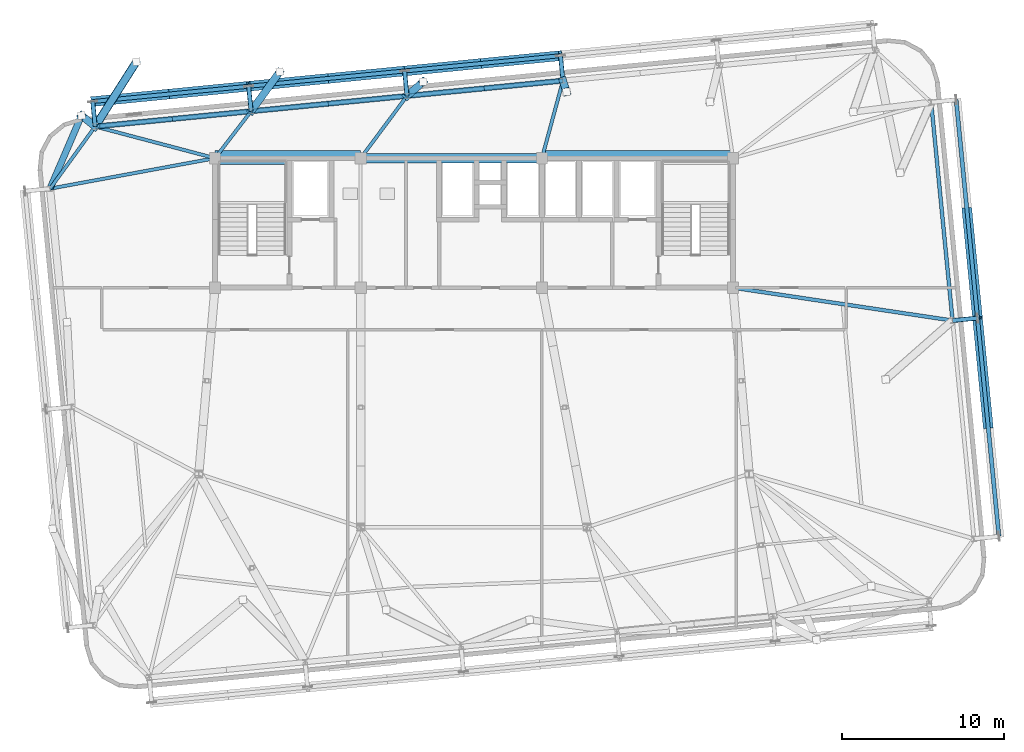
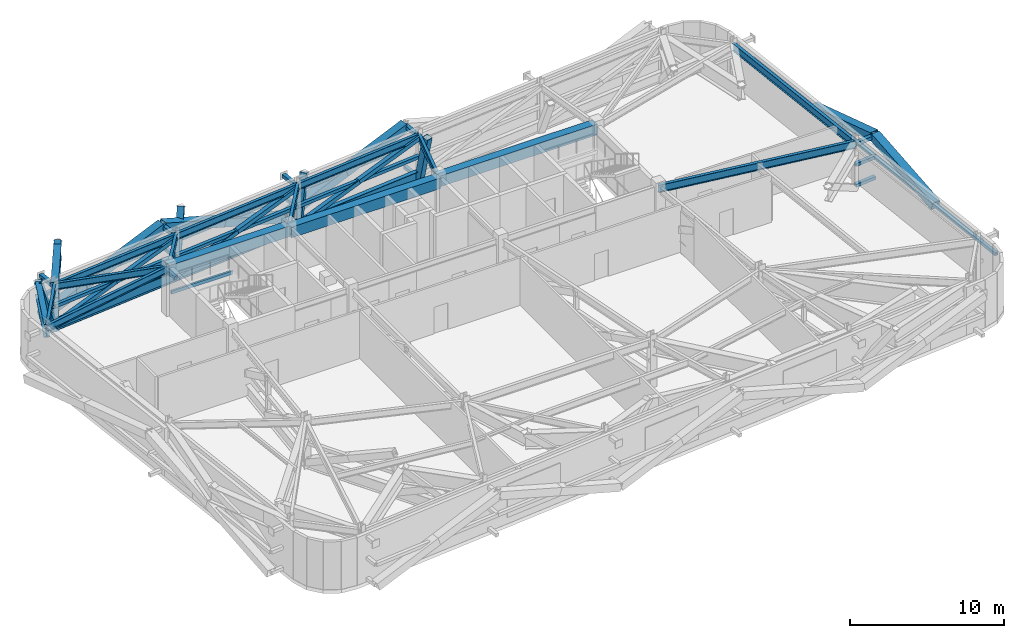
# One storey, part 11 of 24: 44 members, 17 beams.
"""IFC4 building model written with IfcOpenShell, lengths in metres."""

from ifc_helpers import new_model, si_unit, direction, frame, origin, origin_2d, place, context, subcontext, project, spatial, rectangle, hollow_rectangle, i_section, extrude, source, transform, mapped, material, material_profile, profile_set, type_object, element, save


model = new_model("IFC4")

# Units and contexts
model_context = context("Model", 3, precision=1e-05, world=origin(), true_north=direction((0.0, 1.0)))
body_context = subcontext(model_context, "Body", "Model", "MODEL_VIEW")
ifc_project = project(units=[si_unit("LENGTHUNIT", "METRE"), si_unit("AREAUNIT", "SQUARE_METRE"), si_unit("VOLUMEUNIT", "CUBIC_METRE"), si_unit("PLANEANGLEUNIT", "RADIAN"), si_unit("MASSUNIT", "GRAM", prefix="KILO")], contexts=[model_context])

# Site, building, storey
site_placement = place(None, origin())
site = spatial("IfcSite", under=ifc_project, at=site_placement, CompositionType="ELEMENT")
building_placement = place(site_placement, origin())
building = spatial("IfcBuilding", under=site, at=building_placement, Name="Taldren Reach Tower", CompositionType="ELEMENT")
storey_placement = place(building_placement, frame((0.0, 0.0, 112.35009765625)))
storey = spatial("IfcBuildingStorey", under=building, at=storey_placement, Name="L34", CompositionType="ELEMENT", Elevation=112.35009765625)

# Beams
ifc_material_1 = material(Name="Concrete S80 (80 MPa)", Category="concrete")
ifc_material_profile_1 = material_profile(ifc_material_1, rectangle(XDim=0.60009765625, YDim=0.85009765625, at=origin_2d()), Name="RC-CB600x850")
ifc_profile_set_1 = profile_set([ifc_material_profile_1], Name="Concrete S80 (80 MPa)")
beam_type_1 = type_object("IfcBeamType", Name="BM-RCCB850", PredefinedType="BEAM", material=ifc_profile_set_1)
shared_shape_1 = source(origin(), body_context, "Body", "SweptSolid", [
    extrude(rectangle(XDim=0.60009765625, YDim=0.85009765625, at=origin_2d()), origin(), (0.0, 0.0, 1.0), 9.0),
])
beam_1_placement = place(storey_placement, frame((19.0, 32.179931640625, 3.35498046875), z_axis=(1.0, 0.0, 0.0), x_axis=(0.0, 1.0, 0.0)))
element("IfcBeam", 1, at=beam_1_placement, inside=storey, type_object=beam_type_1, Name="Core-spine girder L34-SP04", PredefinedType="BEAM", context=body_context, shape_type="MappedRepresentation", body=[
    mapped(shared_shape_1, transform((0.0, 0.0, 0.0), scale=1.0)),
])
shared_shape_2 = source(origin(), body_context, "Body", "SweptSolid", [
    extrude(rectangle(XDim=0.60009765625, YDim=0.85009765625, at=origin_2d()), origin(), (0.0, 0.0, 1.0), 11.199951171875),
])
beam_2_placement = place(storey_placement, frame((28.0, 32.0, 3.35498046875), z_axis=(1.0, 0.0, 0.0), x_axis=(0.0, 1.0, 0.0)))
element("IfcBeam", 2, at=beam_2_placement, inside=storey, type_object=beam_type_1, Name="Core-spine girder L34-SP05", PredefinedType="BEAM", context=body_context, shape_type="MappedRepresentation", body=[
    mapped(shared_shape_2, transform((0.0, 0.0, 0.0), scale=1.0)),
])
shared_shape_3 = source(origin(), body_context, "Body", "SweptSolid", [
    extrude(rectangle(XDim=0.60009765625, YDim=0.85009765625, at=origin_2d()), origin(), (0.0, 0.0, 1.0), 11.800048828125),
])
beam_3_placement = place(storey_placement, frame((39.199951171875, 32.179931640625, 3.35498046875), z_axis=(1.0, 0.0, 0.0), x_axis=(0.0, 1.0, 0.0)))
element("IfcBeam", 3, at=beam_3_placement, inside=storey, type_object=beam_type_1, Name="Core-spine girder L34-SP06", PredefinedType="BEAM", context=body_context, shape_type="MappedRepresentation", body=[
    mapped(shared_shape_3, transform((0.0, 0.0, 0.0), scale=1.0)),
])
ifc_material_2 = material(Name="Steel Gr 350 (350PLUS)", Category="steel")
ifc_material_profile_2 = material_profile(ifc_material_2, i_section(OverallWidth=0.208984375, OverallDepth=0.528076171875, WebThickness=0.009521484375, FlangeThickness=0.01318359375, at=origin_2d()), Name="530UB82.0")
ifc_profile_set_2 = profile_set([ifc_material_profile_2], Name="Steel Gr 350 (350PLUS)")
beam_type_2 = type_object("IfcBeamType", Name="SP-UB530B", PredefinedType="SPANDREL", material=ifc_profile_set_2)
shared_shape_4 = source(origin(), body_context, "Body", "SweptSolid", [
    extrude(i_section(OverallWidth=0.208984375, OverallDepth=0.528076171875, WebThickness=0.009521484375, FlangeThickness=0.01318359375, at=origin_2d()), origin(), (0.0, 0.0, 1.0), 4.74609375),
])
beam_4_placement = place(storey_placement, frame((11.596923828125, 33.956787109375, 3.515869140625), z_axis=(-0.587565912237, -0.809176308833, 0.0), x_axis=(0.809176308833, -0.587565912237, 0.0)))
element("IfcBeam", 4, at=beam_4_placement, inside=storey, type_object=beam_type_2, Name="Perimeter spandrel B2 N1-W3 L34", PredefinedType="SPANDREL", context=body_context, shape_type="MappedRepresentation", body=[
    mapped(shared_shape_4, transform((0.0, 0.0, 0.0), scale=1.0)),
])

# Members
ifc_material_3 = material(Name="Steel Gr 450 (C450L0)", Category="steel")
ifc_material_profile_3 = material_profile(ifc_material_3, hollow_rectangle(XDim=0.27490234375, YDim=0.27490234375, WallThickness=0.00927734375, at=origin_2d()), Name="275x275x9.3SHS")
ifc_profile_set_3 = profile_set([ifc_material_profile_3], Name="Steel Gr 450 (C450L0)")
member_type_1 = type_object("IfcMemberType", Name="MB-TIE273", PredefinedType="STRUT", material=ifc_profile_set_3)
shared_shape_5 = source(origin(), body_context, "Body", "SweptSolid", [
    extrude(hollow_rectangle(XDim=0.27490234375, YDim=0.27490234375, WallThickness=0.00927734375, at=origin_2d()), origin(), (0.0, 0.0, 1.0), 1.5498046875),
])
for number, where, z_axis, x_axis, name in (
    (5, (30.864501953125, 35.84619140625, 3.5), (-0.097663201064, 0.995219523099, 0.0), (-0.995219523099, -0.097663201064, 0.0), "Exoskeleton diaphragm tie strut B2-N3 L34"),
    (6, (40.498291015625, 36.790771484375, 3.5), (-0.097663201064, 0.995219523099, 0.0), (-0.995219523099, -0.097663201064, 0.0), "Exoskeleton diaphragm tie strut B2-N4 L34"),
    (7, (64.569580078125, 21.968994140625, 3.5), (0.995234821595, 0.097507178627, 0.0), (-0.097507178627, 0.995234821595, 0.0), "Exoskeleton diaphragm tie strut B2-E2 L34"),
):
    element("IfcMember", number, at=place(storey_placement, frame(where, z_axis=z_axis, x_axis=x_axis)), inside=storey, type_object=member_type_1, Name=name, PredefinedType="STRUT", context=body_context, shape_type="MappedRepresentation", body=[
        mapped(shared_shape_5, transform((0.0, 0.0, 0.0), scale=1.0)),
    ])
ifc_material_4 = material(Name="Steel Gr 350 (C350L0)", Category="steel")
ifc_material_profile_4 = material_profile(ifc_material_4, hollow_rectangle(XDim=0.25, YDim=0.25, WallThickness=0.010009765625, at=origin_2d()), Name="250x250x10.0SHS")
ifc_profile_set_4 = profile_set([ifc_material_profile_4], Name="Steel Gr 350 (C350L0)")
member_type_2 = type_object("IfcMemberType", Name="MB-POST250", PredefinedType="POST", material=ifc_profile_set_4)
shared_shape_6 = source(origin(), body_context, "Body", "SweptSolid", [
    extrude(hollow_rectangle(XDim=0.25, YDim=0.25, WallThickness=0.010009765625, at=origin_2d()), origin(), (0.0, 0.0, 1.0), 1.5498046875),
])
for number, where, z_axis, x_axis, name in (
    (8, (30.864501953125, 35.84619140625, 0.219970703125), (-0.097663201064, 0.995219523099, 0.0), (-0.995219523099, -0.097663201064, 0.0), "Exoskeleton base diaphragm tie strut B2-N3 L34"),
    (9, (40.498291015625, 36.790771484375, 0.219970703125), (-0.097663201064, 0.995219523099, 0.0), (-0.995219523099, -0.097663201064, 0.0), "Exoskeleton base diaphragm tie strut B2-N4 L34"),
    (10, (64.569580078125, 21.968994140625, 0.219970703125), (0.995234821595, 0.097507178627, 0.0), (-0.097507178627, 0.995234821595, 0.0), "Exoskeleton base diaphragm tie strut B2-E2 L34"),
    (11, (30.864501953125, 35.84619140625, 1.85986328125), (-0.097663201064, 0.995219523099, 0.0), (-0.995219523099, -0.097663201064, 0.0), "Exoskeleton mid-tier diaphragm tie B2-N3 L34"),
    (12, (64.569580078125, 21.968994140625, 1.85986328125), (0.995234821595, 0.097507178627, 0.0), (-0.097507178627, 0.995234821595, 0.0), "Exoskeleton mid-tier diaphragm tie B2-E2 L34"),
):
    element("IfcMember", number, at=place(storey_placement, frame(where, z_axis=z_axis, x_axis=x_axis)), inside=storey, type_object=member_type_2, Name=name, PredefinedType="POST", context=body_context, shape_type="MappedRepresentation", body=[
        mapped(shared_shape_6, transform((0.0, 0.0, 0.0), scale=1.0)),
    ])

# Beams
shared_shape_7 = source(origin(), body_context, "Body", "SweptSolid", [
    extrude(i_section(OverallWidth=0.208984375, OverallDepth=0.528076171875, WebThickness=0.009521484375, FlangeThickness=0.01318359375, at=origin_2d()), origin(), (0.0, 0.0, 1.0), 9.679931640625),
])
for number, where, z_axis, x_axis, name in (
    (13, (40.498291015625, 36.790771484375, 3.515869140625), (-0.995227612658, -0.097580730699, 0.0), (0.097580730699, -0.995227612658, 0.0), "Perimeter spandrel B2 N4-N3 L34"),
    (14, (30.864501953125, 35.84619140625, 3.515869140625), (-0.995225162995, -0.097605711627, 0.0), (0.097605711627, -0.995225162995, 0.0), "Perimeter spandrel B2 N3-N2 L34"),
    (15, (21.230712890625, 34.9013671875, 3.515869140625), (-0.995227612658, -0.097580730699, 0.0), (0.097580730699, -0.995227612658, 0.0), "Perimeter spandrel B2 N2-N1 L34"),
):
    element("IfcBeam", number, at=place(storey_placement, frame(where, z_axis=z_axis, x_axis=x_axis)), inside=storey, type_object=beam_type_2, Name=name, PredefinedType="SPANDREL", context=body_context, shape_type="MappedRepresentation", body=[
        mapped(shared_shape_7, transform((0.0, 0.0, 0.0), scale=1.0)),
    ])
ifc_material_profile_5 = material_profile(ifc_material_2, i_section(OverallWidth=0.22802734375, OverallDepth=0.60205078125, WebThickness=0.010498046875, FlangeThickness=0.014892578125, at=origin_2d()), Name="610UB101")
ifc_profile_set_5 = profile_set([ifc_material_profile_5], Name="Steel Gr 350 (350PLUS)")
beam_type_3 = type_object("IfcBeamType", Name="BM-UB610B", PredefinedType="BEAM", material=ifc_profile_set_5)
shared_shape_8 = source(origin(), body_context, "Body", "SweptSolid", [
    extrude(i_section(OverallWidth=0.22802734375, OverallDepth=0.60205078125, WebThickness=0.010498046875, FlangeThickness=0.014892578125, at=origin_2d()), origin(), (0.0, 0.0, 1.0), 13.550048828125),
])
beam_5_placement = place(storey_placement, frame((64.569580078125, 21.968994140625, 3.47900390625), z_axis=(-0.097584021339, 0.995227290009, 0.0), x_axis=(-0.995227290009, -0.097584021339, 0.0)))
element("IfcBeam", 16, at=beam_5_placement, inside=storey, type_object=beam_type_3, Name="Perimeter gable girder B2 E2-E3 L34", PredefinedType="BEAM", context=body_context, shape_type="MappedRepresentation", body=[
    mapped(shared_shape_8, transform((0.0, 0.0, 0.0), scale=1.0)),
])
shared_shape_9 = source(origin(), body_context, "Body", "SweptSolid", [
    extrude(i_section(OverallWidth=0.22802734375, OverallDepth=0.60205078125, WebThickness=0.010498046875, FlangeThickness=0.014892578125, at=origin_2d()), origin(), (0.0, 0.0, 1.0), 13.720703125),
])
beam_6_placement = place(storey_placement, frame((51.0, 24.0, 3.47900390625), z_axis=(0.988983679407, -0.148024598856, 0.0), x_axis=(0.148024598856, 0.988983679407, 0.0)))
element("IfcBeam", 17, at=beam_6_placement, inside=storey, type_object=beam_type_3, Name="Primary floor girder B2-E2 L34", PredefinedType="BEAM", context=body_context, shape_type="MappedRepresentation", body=[
    mapped(shared_shape_9, transform((0.0, 0.0, 0.0), scale=1.0)),
])
ifc_material_profile_6 = material_profile(ifc_material_2, i_section(OverallWidth=0.208984375, OverallDepth=0.532958984375, WebThickness=0.01025390625, FlangeThickness=0.015625, at=origin_2d()), Name="530UB92.4")
ifc_profile_set_6 = profile_set([ifc_material_profile_6], Name="Steel Gr 350 (350PLUS)")
beam_type_4 = type_object("IfcBeamType", Name="BM-UB530A", PredefinedType="BEAM", material=ifc_profile_set_6)
shared_shape_10 = source(origin(), body_context, "Body", "SweptSolid", [
    extrude(i_section(OverallWidth=0.208984375, OverallDepth=0.532958984375, WebThickness=0.01025390625, FlangeThickness=0.015625, at=origin_2d()), origin(), (0.0, 0.0, 1.0), 4.963623046875),
])
beam_7_placement = place(storey_placement, frame((39.199951171875, 32.0, 3.513427734375), z_axis=(0.261572995851, 0.965183696423, 0.0), x_axis=(-0.965183696423, 0.261572995851, 0.0)))
element("IfcBeam", 18, at=beam_7_placement, inside=storey, type_object=beam_type_4, Name="Primary floor girder B2-N4 L34", PredefinedType="BEAM", context=body_context, shape_type="MappedRepresentation", body=[
    mapped(shared_shape_10, transform((0.0, 0.0, 0.0), scale=1.0)),
])
shared_shape_11 = source(origin(), body_context, "Body", "SweptSolid", [
    extrude(i_section(OverallWidth=0.208984375, OverallDepth=0.532958984375, WebThickness=0.01025390625, FlangeThickness=0.015625, at=origin_2d()), origin(), (0.0, 0.0, 1.0), 4.795654296875),
])
beam_8_placement = place(storey_placement, frame((28.0, 32.0, 3.513427734375), z_axis=(0.59730864792, 0.802011458223, 0.0), x_axis=(-0.802011458223, 0.59730864792, 0.0)))
element("IfcBeam", 19, at=beam_8_placement, inside=storey, type_object=beam_type_4, Name="Primary floor girder B2-N3 L34", PredefinedType="BEAM", context=body_context, shape_type="MappedRepresentation", body=[
    mapped(shared_shape_11, transform((0.0, 0.0, 0.0), scale=1.0)),
])
shared_shape_12 = source(origin(), body_context, "Body", "SweptSolid", [
    extrude(i_section(OverallWidth=0.208984375, OverallDepth=0.532958984375, WebThickness=0.01025390625, FlangeThickness=0.015625, at=origin_2d()), origin(), (0.0, 0.0, 1.0), 3.65966796875),
])
beam_9_placement = place(storey_placement, frame((19.0, 32.0, 3.513427734375), z_axis=(0.609520535722, 0.792770279799, 0.0), x_axis=(-0.792770279799, 0.609520535722, 0.0)))
element("IfcBeam", 20, at=beam_9_placement, inside=storey, type_object=beam_type_4, Name="Primary floor girder B2-N2 L34", PredefinedType="BEAM", context=body_context, shape_type="MappedRepresentation", body=[
    mapped(shared_shape_12, transform((0.0, 0.0, 0.0), scale=1.0)),
])
shared_shape_13 = source(origin(), body_context, "Body", "SweptSolid", [
    extrude(i_section(OverallWidth=0.208984375, OverallDepth=0.532958984375, WebThickness=0.01025390625, FlangeThickness=0.015625, at=origin_2d()), origin(), (0.0, 0.0, 1.0), 7.6572265625),
])
beam_10_placement = place(storey_placement, frame((19.0, 32.0, 3.513427734375), z_axis=(-0.966797258245, 0.255544636904, 0.0), x_axis=(-0.255544636904, -0.966797258245, 0.0)))
element("IfcBeam", 21, at=beam_10_placement, inside=storey, type_object=beam_type_4, Name="Primary floor girder B2-N1 L34", PredefinedType="BEAM", context=body_context, shape_type="MappedRepresentation", body=[
    mapped(shared_shape_13, transform((0.0, 0.0, 0.0), scale=1.0)),
])
shared_shape_14 = source(origin(), body_context, "Body", "SweptSolid", [
    extrude(i_section(OverallWidth=0.208984375, OverallDepth=0.532958984375, WebThickness=0.01025390625, FlangeThickness=0.015625, at=origin_2d()), origin(), (0.0, 0.0, 1.0), 10.3642578125),
])
beam_11_placement = place(storey_placement, frame((19.0, 32.0, 3.513427734375), z_axis=(-0.983347548213, -0.181734970283, 0.0), x_axis=(0.181734970283, -0.983347548213, 0.0)))
element("IfcBeam", 22, at=beam_11_placement, inside=storey, type_object=beam_type_4, Name="Primary floor girder B2-W3 L34", PredefinedType="BEAM", context=body_context, shape_type="MappedRepresentation", body=[
    mapped(shared_shape_14, transform((0.0, 0.0, 0.0), scale=1.0)),
])

# Members
shared_shape_15 = source(origin(), body_context, "Body", "SweptSolid", [
    extrude(hollow_rectangle(XDim=0.27490234375, YDim=0.27490234375, WallThickness=0.00927734375, at=origin_2d()), origin(), (0.0, 0.0, 1.0), 1.550048828125),
])
for number, where, z_axis, x_axis, name in (
    (23, (11.596923828125, 33.956787109375, 3.5), (-0.097647892962, 0.9952210252, 0.0), (-0.9952210252, -0.097647892962, 0.0), "Exoskeleton diaphragm tie strut B2-N1 L34"),
    (24, (21.230712890625, 34.9013671875, 3.5), (-0.097647892962, 0.9952210252, 0.0), (-0.9952210252, -0.097647892962, 0.0), "Exoskeleton diaphragm tie strut B2-N2 L34"),
):
    element("IfcMember", number, at=place(storey_placement, frame(where, z_axis=z_axis, x_axis=x_axis)), inside=storey, type_object=member_type_1, Name=name, PredefinedType="STRUT", context=body_context, shape_type="MappedRepresentation", body=[
        mapped(shared_shape_15, transform((0.0, 0.0, 0.0), scale=1.0)),
    ])
shared_shape_16 = source(origin(), body_context, "Body", "SweptSolid", [
    extrude(hollow_rectangle(XDim=0.25, YDim=0.25, WallThickness=0.010009765625, at=origin_2d()), origin(), (0.0, 0.0, 1.0), 9.679931640625),
])
for number, where, z_axis, x_axis, name in (
    (25, (11.596923828125, 33.956787109375, 1.954833984375), (0.995227612658, 0.097580730699, 0.0), (-0.097580730699, 0.995227612658, 0.0), "Belt Truss Transfer Mid Chord N1 L34"),
    (26, (21.230712890625, 34.9013671875, 1.954833984375), (0.995225162995, 0.097605711627, 0.0), (-0.097605711627, 0.995225162995, 0.0), "Belt Truss Transfer Mid Chord N2 L34"),
    (27, (30.864501953125, 35.84619140625, 1.954833984375), (0.995227612658, 0.097580730699, 0.0), (-0.097580730699, 0.995227612658, 0.0), "Belt Truss Transfer Mid Chord N3 L34"),
    (28, (11.445556640625, 35.49951171875, 1.85986328125), (0.995227612658, 0.097580730699, 0.0), (-0.097580730699, 0.995227612658, 0.0), "Exoskeleton mid-height ring chord B2-N1 L34"),
    (29, (21.079345703125, 36.444091796875, 1.85986328125), (0.995227612658, 0.097580730699, 0.0), (-0.097580730699, 0.995227612658, 0.0), "Exoskeleton mid-height ring chord B2-N2 L34"),
    (30, (30.713134765625, 37.388671875, 1.85986328125), (0.995227612658, 0.097580730699, 0.0), (-0.097580730699, 0.995227612658, 0.0), "Exoskeleton mid-height ring chord B2-N3 L34"),
):
    element("IfcMember", number, at=place(storey_placement, frame(where, z_axis=z_axis, x_axis=x_axis)), inside=storey, type_object=member_type_2, Name=name, PredefinedType="POST", context=body_context, shape_type="MappedRepresentation", body=[
        mapped(shared_shape_16, transform((0.0, 0.0, 0.0), scale=1.0)),
    ])
shared_shape_17 = source(origin(), body_context, "Body", "SweptSolid", [
    extrude(hollow_rectangle(XDim=0.25, YDim=0.25, WallThickness=0.010009765625, at=origin_2d()), origin(), (0.0, 0.0, 1.0), 1.550048828125),
])
for number, where, z_axis, x_axis, name in (
    (31, (11.596923828125, 33.956787109375, 0.219970703125), (-0.097647892962, 0.9952210252, 0.0), (-0.9952210252, -0.097647892962, 0.0), "Exoskeleton base diaphragm tie strut B2-N1 L34"),
    (32, (21.230712890625, 34.9013671875, 0.219970703125), (-0.097647892962, 0.9952210252, 0.0), (-0.9952210252, -0.097647892962, 0.0), "Exoskeleton base diaphragm tie strut B2-N2 L34"),
    (33, (11.596923828125, 33.956787109375, 1.85986328125), (-0.097647892962, 0.9952210252, 0.0), (-0.9952210252, -0.097647892962, 0.0), "Exoskeleton mid-tier diaphragm tie B2-N1 L34"),
    (34, (21.230712890625, 34.9013671875, 1.85986328125), (-0.097647892962, 0.9952210252, 0.0), (-0.9952210252, -0.097647892962, 0.0), "Exoskeleton mid-tier diaphragm tie B2-N2 L34"),
):
    element("IfcMember", number, at=place(storey_placement, frame(where, z_axis=z_axis, x_axis=x_axis)), inside=storey, type_object=member_type_2, Name=name, PredefinedType="POST", context=body_context, shape_type="MappedRepresentation", body=[
        mapped(shared_shape_17, transform((0.0, 0.0, 0.0), scale=1.0)),
    ])
shared_shape_18 = source(origin(), body_context, "Body", "SweptSolid", [
    extrude(hollow_rectangle(XDim=0.25, YDim=0.25, WallThickness=0.010009765625, at=origin_2d()), origin(), (0.0, 0.0, 1.0), 13.550048828125),
])
for number, where, z_axis, x_axis, name in (
    (35, (67.434326171875, 8.634765625, 1.85986328125), (-0.097584021339, 0.995227290009, 0.0), (-0.995227290009, -0.097584021339, 0.0), "Exoskeleton mid-height ring chord B2-E1 L34"),
    (36, (66.112060546875, 22.1201171875, 1.85986328125), (-0.097584021339, 0.995227290009, 0.0), (-0.995227290009, -0.097584021339, 0.0), "Exoskeleton mid-height ring chord B2-E2 L34"),
):
    element("IfcMember", number, at=place(storey_placement, frame(where, z_axis=z_axis, x_axis=x_axis)), inside=storey, type_object=member_type_2, Name=name, PredefinedType="POST", context=body_context, shape_type="MappedRepresentation", body=[
        mapped(shared_shape_18, transform((0.0, 0.0, 0.0), scale=1.0)),
    ])
ifc_material_profile_7 = material_profile(ifc_material_3, hollow_rectangle(XDim=0.4599609375, YDim=0.4599609375, WallThickness=0.01611328125, at=origin_2d()), Name="460x460x16.0SHS")
ifc_profile_set_7 = profile_set([ifc_material_profile_7], Name="Steel Gr 450 (C450L0)")
member_type_3 = type_object("IfcMemberType", Name="MB-EXO457", PredefinedType="BRACE", material=ifc_profile_set_7)
shared_shape_19 = source(origin(), body_context, "Body", "SweptSolid", [
    extrude(hollow_rectangle(XDim=0.4599609375, YDim=0.4599609375, WallThickness=0.01611328125, at=origin_2d()), origin(), (0.0, 0.0, 1.0), 6.05322265625),
])
member_1_placement = place(storey_placement, frame((11.596923828125, 33.956787109375, 0.02001953125), z_axis=(0.420866427615, 0.661125297697, 0.621115762843), x_axis=(-0.843574595743, 0.537012012358, 0.0)))
element("IfcMember", 37, at=member_1_placement, inside=storey, type_object=member_type_3, Name="Outrigger Belt Truss Transfer Strut TS-B3-N1 L34", PredefinedType="BRACE", context=body_context, shape_type="MappedRepresentation", body=[
    mapped(shared_shape_19, transform((0.0, 0.0, 0.0), scale=1.0)),
])

# Beam
ifc_material_profile_8 = material_profile(ifc_material_2, i_section(OverallWidth=0.5, OverallDepth=1.199951171875, WebThickness=0.01611328125, FlangeThickness=0.0400390625, at=origin_2d()), Name="1200WB455")
ifc_profile_set_8 = profile_set([ifc_material_profile_8], Name="Steel Gr 350 (350PLUS)")
beam_type_5 = type_object("IfcBeamType", Name="BM-WB1200", PredefinedType="BEAM", material=ifc_profile_set_8)
shared_shape_20 = source(origin(), body_context, "Body", "SweptSolid", [
    extrude(i_section(OverallWidth=0.5, OverallDepth=1.199951171875, WebThickness=0.01611328125, FlangeThickness=0.0400390625, at=origin_2d()), origin(), (0.0, 0.0, 1.0), 4.744140625),
])
beam_12_placement = place(storey_placement, frame((11.596923828125, 33.956787109375, 3.179931640625), z_axis=(0.537012012358, 0.843574595743, 0.0), x_axis=(-0.843574595743, 0.537012012358, 0.0)))
element("IfcBeam", 38, at=beam_12_placement, inside=storey, type_object=beam_type_5, Name="Belt Truss Transfer Girder TG-B3-N1A on L34", PredefinedType="BEAM", context=body_context, shape_type="MappedRepresentation", body=[
    mapped(shared_shape_20, transform((0.0, 0.0, 0.0), scale=1.0)),
])

# Members
shared_shape_21 = source(origin(), body_context, "Body", "SweptSolid", [
    extrude(hollow_rectangle(XDim=0.4599609375, YDim=0.4599609375, WallThickness=0.01611328125, at=origin_2d()), origin(), (0.0, 0.0, 1.0), 4.81884765625),
])
member_2_placement = place(storey_placement, frame((21.230712890625, 34.9013671875, 0.02001953125), z_axis=(0.367775010986, 0.505937630487, 0.780236281745), x_axis=(-0.808872669022, 0.58798384783, 0.0)))
element("IfcMember", 39, at=member_2_placement, inside=storey, type_object=member_type_3, Name="Outrigger Belt Truss Transfer Strut TS-B3-N2 L34", PredefinedType="BRACE", context=body_context, shape_type="MappedRepresentation", body=[
    mapped(shared_shape_21, transform((0.0, 0.0, 0.0), scale=1.0)),
])
shared_shape_22 = source(origin(), body_context, "Body", "SweptSolid", [
    extrude(hollow_rectangle(XDim=0.4599609375, YDim=0.4599609375, WallThickness=0.01611328125, at=origin_2d()), origin(), (0.0, 0.0, 1.0), 3.986572265625),
])
member_3_placement = place(storey_placement, frame((30.864501953125, 35.84619140625, 0.02001953125), z_axis=(0.250044107061, 0.219179000532, 0.943100477282), x_axis=(-0.659169343714, 0.7519945321, 0.0)))
element("IfcMember", 40, at=member_3_placement, inside=storey, type_object=member_type_3, Name="Outrigger Belt Truss Transfer Strut TS-B3-N3 L34", PredefinedType="BRACE", context=body_context, shape_type="MappedRepresentation", body=[
    mapped(shared_shape_22, transform((0.0, 0.0, 0.0), scale=1.0)),
])
shared_shape_23 = source(origin(), body_context, "Body", "SweptSolid", [
    extrude(hollow_rectangle(XDim=0.4599609375, YDim=0.4599609375, WallThickness=0.01611328125, at=origin_2d()), origin(), (0.0, 0.0, 1.0), 3.8291015625),
])
member_4_placement = place(storey_placement, frame((40.498291015625, 36.790771484375, 0.02001953125), z_axis=(0.057830531369, -0.180313939042, 0.981907588844), x_axis=(0.952224554512, 0.305398752101, 0.0)))
element("IfcMember", 41, at=member_4_placement, inside=storey, type_object=member_type_3, Name="Outrigger Belt Truss Transfer Strut TS-B3-N4 L34", PredefinedType="BRACE", context=body_context, shape_type="MappedRepresentation", body=[
    mapped(shared_shape_23, transform((0.0, 0.0, 0.0), scale=1.0)),
])
shared_shape_24 = source(origin(), body_context, "Body", "SweptSolid", [
    extrude(hollow_rectangle(XDim=0.4599609375, YDim=0.4599609375, WallThickness=0.01611328125, at=origin_2d()), origin(), (0.0, 0.0, 1.0), 3.91259765625),
])
member_5_placement = place(storey_placement, frame((11.596923828125, 33.956787109375, 0.02001953125), z_axis=(-0.215276354249, 0.173905854867, 0.960943726211), x_axis=(-0.628400084743, -0.777890309424, 0.0)))
element("IfcMember", 42, at=member_5_placement, inside=storey, type_object=member_type_3, Name="Outrigger Belt Truss Transfer Strut TS-B3-W3 L34", PredefinedType="BRACE", context=body_context, shape_type="MappedRepresentation", body=[
    mapped(shared_shape_24, transform((0.0, 0.0, 0.0), scale=1.0)),
])

# Beam
ifc_material_profile_9 = material_profile(ifc_material_2, i_section(OverallWidth=0.39990234375, OverallDepth=1.02392578125, WebThickness=0.01611328125, FlangeThickness=0.031982421875, at=origin_2d()), Name="1000WB322")
ifc_profile_set_9 = profile_set([ifc_material_profile_9], Name="Steel Gr 350 (350PLUS)")
beam_type_6 = type_object("IfcBeamType", Name="BM-WB1000", PredefinedType="BEAM", material=ifc_profile_set_9)
shared_shape_25 = source(origin(), body_context, "Body", "SweptSolid", [
    extrude(i_section(OverallWidth=0.39990234375, OverallDepth=1.02392578125, WebThickness=0.01611328125, FlangeThickness=0.031982421875, at=origin_2d()), origin(), (0.0, 0.0, 1.0), 4.921875),
])
beam_13_placement = place(storey_placement, frame((8.808349609375, 30.116455078125, 3.267822265625), z_axis=(0.395433358984, 0.918494669883, 0.0), x_axis=(-0.918494669883, 0.395433358984, 0.0)))
element("IfcBeam", 43, at=beam_13_placement, inside=storey, type_object=beam_type_6, Name="Belt Truss Transfer Tie Girder TG-B3-W3B on L34", PredefinedType="BEAM", context=body_context, shape_type="MappedRepresentation", body=[
    mapped(shared_shape_25, transform((0.0, 0.0, 0.0), scale=1.0)),
])

# Members
ifc_material_profile_10 = material_profile(ifc_material_2, i_section(OverallWidth=0.300048828125, OverallDepth=0.81591796875, WebThickness=0.011962890625, FlangeThickness=0.02392578125, at=origin_2d()), Name="800WB192")
ifc_profile_set_10 = profile_set([ifc_material_profile_10], Name="Steel Gr 350 (350PLUS)")
member_type_4 = type_object("IfcMemberType", Name="MB-CH800", PredefinedType="CHORD", material=ifc_profile_set_10)
shared_shape_26 = source(origin(), body_context, "Body", "SweptSolid", [
    extrude(i_section(OverallWidth=0.300048828125, OverallDepth=0.81591796875, WebThickness=0.011962890625, FlangeThickness=0.02392578125, at=origin_2d()), origin(), (0.0, 0.0, 1.0), 9.679931640625),
])
for number, where, z_axis, x_axis, name in (
    (44, (11.596923828125, 33.956787109375, 0.449951171875), (0.995227612658, 0.097580730699, 0.0), (-0.097580730699, 0.995227612658, 0.0), "Belt Truss Transfer Bottom Chord N1 L34"),
    (45, (21.230712890625, 34.9013671875, 0.449951171875), (0.995225162995, 0.097605711627, 0.0), (-0.097605711627, 0.995225162995, 0.0), "Belt Truss Transfer Bottom Chord N2 L34"),
    (46, (30.864501953125, 35.84619140625, 0.449951171875), (0.995227612658, 0.097580730699, 0.0), (-0.097580730699, 0.995227612658, 0.0), "Belt Truss Transfer Bottom Chord N3 L34"),
):
    element("IfcMember", number, at=place(storey_placement, frame(where, z_axis=z_axis, x_axis=x_axis)), inside=storey, type_object=member_type_4, Name=name, PredefinedType="CHORD", context=body_context, shape_type="MappedRepresentation", body=[
        mapped(shared_shape_26, transform((0.0, 0.0, 0.0), scale=1.0)),
    ])
ifc_material_profile_11 = material_profile(ifc_material_3, hollow_rectangle(XDim=0.324951171875, YDim=0.324951171875, WallThickness=0.0126953125, at=origin_2d()), Name="325x325x12.7SHS")
ifc_profile_set_11 = profile_set([ifc_material_profile_11], Name="Steel Gr 450 (C450L0)")
member_type_5 = type_object("IfcMemberType", Name="MB-BR324", PredefinedType="BRACE", material=ifc_profile_set_11)
shared_shape_27 = source(origin(), body_context, "Body", "SweptSolid", [
    extrude(hollow_rectangle(XDim=0.324951171875, YDim=0.324951171875, WallThickness=0.0126953125, at=origin_2d()), origin(), (0.0, 0.0, 1.0), 5.068603515625),
])
for number, where, z_axis, x_axis, name in (
    (47, (11.596923828125, 33.956787109375, 0.449951171875), (0.950347406391, 0.093204370571, 0.296905292093), (-0.097605711627, 0.995225162995, 0.0), "Belt Truss Transfer Diagonal N1 L34"),
    (48, (16.413818359375, 34.42919921875, 1.954833984375), (0.950338079713, 0.093155288706, 0.296950545435), (-0.097555749586, 0.995230061706, 0.0), "Belt Truss Transfer Diagonal N1 L34"),
    (49, (21.230712890625, 34.9013671875, 0.449951171875), (0.950347406391, 0.093204370571, 0.296905292093), (-0.097605711627, 0.995225162995, 0.0), "Belt Truss Transfer Diagonal N2 L34"),
    (50, (26.047607421875, 35.373779296875, 1.954833984375), (0.950333814448, 0.093203037555, 0.296949212675), (-0.097605711627, 0.995225162995, 0.0), "Belt Truss Transfer Diagonal N2 L34"),
    (51, (30.864501953125, 35.84619140625, 0.449951171875), (0.950351671839, 0.093156621051, 0.296906624694), (-0.097555749586, 0.995230061706, 0.0), "Belt Truss Transfer Diagonal N3 L34"),
    (52, (35.681396484375, 36.318359375, 1.954833984375), (0.950333814448, 0.093203037555, 0.296949212675), (-0.097605711627, 0.995225162995, 0.0), "Belt Truss Transfer Diagonal N3 L34"),
):
    element("IfcMember", number, at=place(storey_placement, frame(where, z_axis=z_axis, x_axis=x_axis)), inside=storey, type_object=member_type_5, Name=name, PredefinedType="BRACE", context=body_context, shape_type="MappedRepresentation", body=[
        mapped(shared_shape_27, transform((0.0, 0.0, 0.0), scale=1.0)),
    ])
ifc_material_profile_12 = material_profile(ifc_material_3, hollow_rectangle(XDim=0.614990234375, YDim=0.614990234375, WallThickness=0.02490234375, at=origin_2d()), Name="615x615x25.0SHS")
ifc_profile_set_12 = profile_set([ifc_material_profile_12], Name="Steel Gr 450 (C450L0)")
member_type_6 = type_object("IfcMemberType", Name="MB-EXO610", PredefinedType="BRACE", material=ifc_profile_set_12)
shared_shape_28 = source(origin(), body_context, "Body", "SweptSolid", [
    extrude(hollow_rectangle(XDim=0.614990234375, YDim=0.614990234375, WallThickness=0.02490234375, at=origin_2d()), origin(), (0.0, 0.0, 1.0), 5.1103515625),
])
for number, where, z_axis, x_axis, name in (
    (53, (11.445556640625, 35.49951171875, 0.219970703125), (0.942594546699, 0.092396241932, 0.320902563111), (-0.097555749586, 0.995230061706, 0.0), "Exoskeleton Diagrid Brace B2-N1 L34"),
    (54, (16.262451171875, 35.9716796875, 1.85986328125), (0.942575933361, 0.092442191133, 0.320944000016), (-0.097605711627, 0.995225162995, 0.0), "Exoskeleton Diagrid Brace B2-N1 L34"),
    (55, (30.713134765625, 37.388671875, 0.219970703125), (-0.942594546699, -0.092396241932, 0.320902563111), (0.097555749586, -0.995230061706, 0.0), "Exoskeleton Diagrid Brace B2-N2 L34"),
    (56, (25.896240234375, 36.91650390625, 1.85986328125), (-0.942575933361, -0.092442191133, 0.320944000016), (0.097605711627, -0.995225162995, 0.0), "Exoskeleton Diagrid Brace B2-N2 L34"),
    (57, (30.713134765625, 37.388671875, 0.219970703125), (0.942590384848, 0.092443608448, 0.320901146225), (-0.097605711627, 0.995225162995, 0.0), "Exoskeleton Diagrid Brace B2-N3 L34"),
    (58, (35.530029296875, 37.861083984375, 1.85986328125), (0.94258009502, 0.09239482533, 0.320945417047), (-0.097555749586, 0.995230061706, 0.0), "Exoskeleton Diagrid Brace B2-N3 L34"),
):
    element("IfcMember", number, at=place(storey_placement, frame(where, z_axis=z_axis, x_axis=x_axis)), inside=storey, type_object=member_type_6, Name=name, PredefinedType="BRACE", context=body_context, shape_type="MappedRepresentation", body=[
        mapped(shared_shape_28, transform((0.0, 0.0, 0.0), scale=1.0)),
    ])
shared_shape_29 = source(origin(), body_context, "Body", "SweptSolid", [
    extrude(hollow_rectangle(XDim=0.614990234375, YDim=0.614990234375, WallThickness=0.02490234375, at=origin_2d()), origin(), (0.0, 0.0, 1.0), 6.970703125),
])
for number, where, z_axis, x_axis, name in (
    (59, (66.773193359375, 15.37744140625, 1.85986328125), (-0.094844377448, 0.967286564389, 0.235289707421), (-0.995227290009, -0.097584021339, 0.0), "Exoskeleton Diagrid Brace B2-E1 L34"),
    (60, (65.450927734375, 28.86279296875, 1.85986328125), (0.094844377448, -0.967286564389, 0.235289707421), (0.995227290009, 0.097584021339, 0.0), "Exoskeleton Diagrid Brace B2-E2 L34"),
):
    element("IfcMember", number, at=place(storey_placement, frame(where, z_axis=z_axis, x_axis=x_axis)), inside=storey, type_object=member_type_6, Name=name, PredefinedType="BRACE", context=body_context, shape_type="MappedRepresentation", body=[
        mapped(shared_shape_29, transform((0.0, 0.0, 0.0), scale=1.0)),
    ])

# Beam
ifc_material_profile_13 = material_profile(ifc_material_4, hollow_rectangle(XDim=0.14990234375, YDim=0.25, WallThickness=0.009033203125, at=origin_2d()), Name="250x150x9.0RHS")
ifc_profile_set_13 = profile_set([ifc_material_profile_13], Name="Steel Gr 350 (C350L0)")
beam_type_7 = type_object("IfcBeamType", Name="LN-RHS250", PredefinedType="LINTEL", material=ifc_profile_set_13)
shared_shape_30 = source(origin(), body_context, "Body", "SweptSolid", [
    extrude(hollow_rectangle(XDim=0.14990234375, YDim=0.25, WallThickness=0.009033203125, at=origin_2d()), origin(), (0.0, 0.0, 1.0), 4.60009765625),
])
beam_14_placement = place(storey_placement, frame((19.0, 31.699951171875, 1.794921875), z_axis=(1.0, 0.0, 0.0), x_axis=(0.0, 1.0, 0.0)))
element("IfcBeam", 61, at=beam_14_placement, inside=storey, type_object=beam_type_7, Name="Stair half-landing support beam ST1-L34-2", PredefinedType="LINTEL", context=body_context, shape_type="MappedRepresentation", body=[
    mapped(shared_shape_30, transform((0.0, 0.0, 0.0), scale=1.0)),
])

save(model, "model.ifc")
